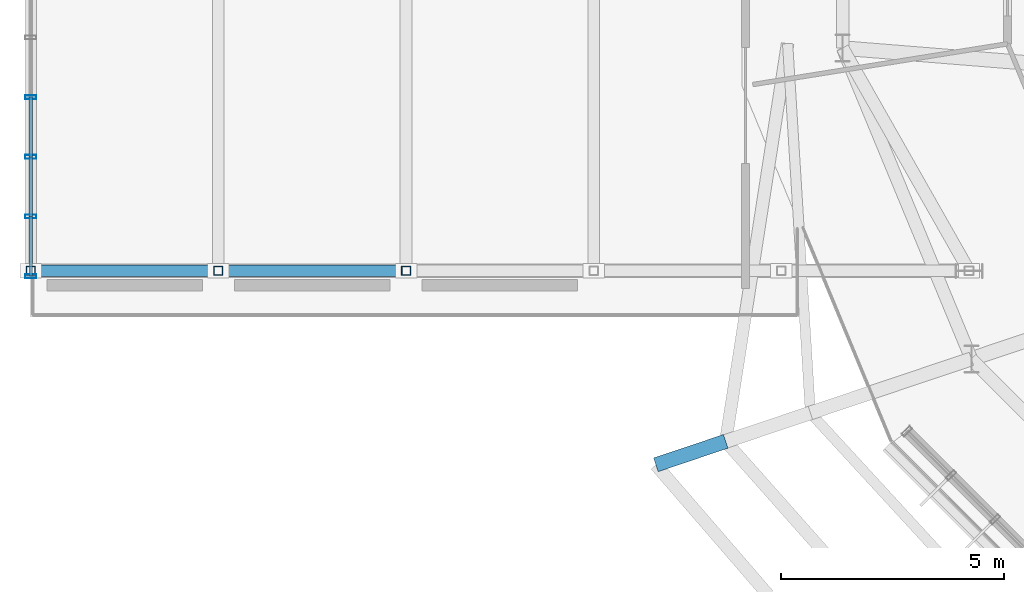
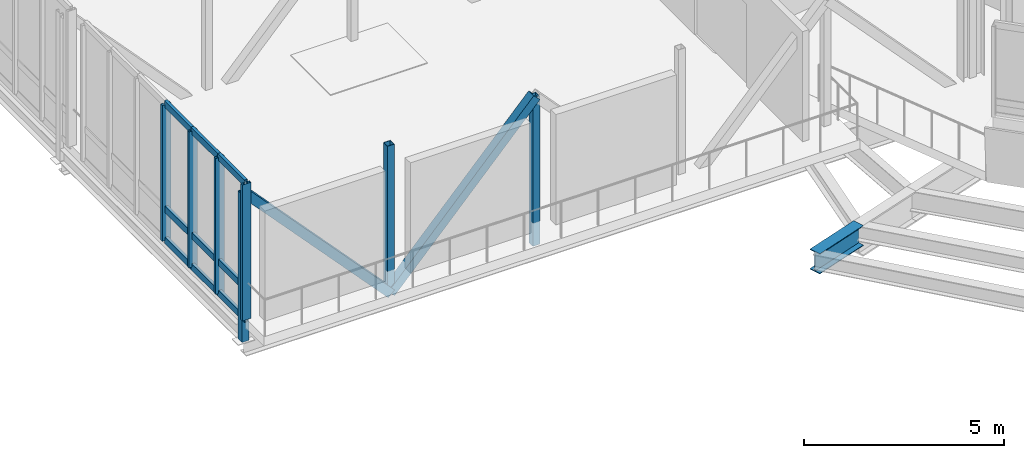
# One storey, part 25 of 139: 18 members, 1 beam, 1 element without a shape of its own.
"""IFC4 building model written with IfcOpenShell, lengths in metres."""

from ifc_helpers import new_model, si_unit, derived_unit, direction, frame, origin, origin_2d, place, context, subcontext, project, spatial, hollow_rectangle, i_section, extrude, material, layer, layer_set, material_profile, profile_set, type_object, element, aggregate, save


model = new_model("IFC4")

# Units and contexts
model_context = context("Model", 3, precision=1e-05, world=origin(), true_north=direction((0.0, 1.0)))
body_context = subcontext(model_context, "Body", "Model", "MODEL_VIEW")
ifc_project = project(units=[si_unit("LENGTHUNIT", "METRE"), si_unit("AREAUNIT", "SQUARE_METRE"), si_unit("VOLUMEUNIT", "CUBIC_METRE"), si_unit("PLANEANGLEUNIT", "RADIAN"), si_unit("MASSUNIT", "GRAM", prefix="KILO"), derived_unit("THERMALTRANSMITTANCEUNIT", [(si_unit("MASSUNIT", "GRAM", prefix="KILO"), 1), (si_unit("TIMEUNIT", "SECOND"), -3), (si_unit("THERMODYNAMICTEMPERATUREUNIT", "KELVIN"), -1)])], contexts=[model_context])

# Site, building, storey
site_placement = place(None, origin())
site = spatial("IfcSite", under=ifc_project, at=site_placement, CompositionType="ELEMENT")
building_placement = place(site_placement, origin())
building = spatial("IfcBuilding", under=site, at=building_placement, Name="Makaiwela Harbour Ferry Terminal", CompositionType="ELEMENT")
storey_placement = place(building_placement, frame((0.0, 0.0, 5.10009765625)))
storey = spatial("IfcBuildingStorey", under=building, at=storey_placement, Name="L01", CompositionType="ELEMENT", Elevation=5.10009765625)

# Curtain wall, members
ifc_material_1 = material(Name="Marine anodised aluminium 6063-T6", Category="aluminium")
ifc_layer = layer(ifc_material_1, 0.199951171875)
ifc_layer_set = layer_set([ifc_layer], Name="Marine anodised aluminium 6063-T6")
curtain_wall_type = type_object("IfcCurtainWallType", Name="ENV-CW-22", PredefinedType="USERDEFINED", material=ifc_layer_set)
curtain_wall_placement = place(storey_placement, origin())
curtain_wall = element("IfcCurtainWall", 1, at=curtain_wall_placement, inside=storey, type_object=curtain_wall_type, Name="Unitised Curtain Wall CWA-136", ObjectType="UNITIZED CURTAIN WALL", PredefinedType="USERDEFINED")
ifc_material_profile_1 = material_profile(ifc_material_1, hollow_rectangle(XDim=0.0849609375, YDim=0.25, WallThickness=0.0048828125, at=origin_2d()), Name="CWM-250X85")
ifc_profile_set_1 = profile_set([ifc_material_profile_1], Name="Marine anodised aluminium 6063-T6")
member_type_1 = type_object("IfcMemberType", Name="CW-MUL-250", PredefinedType="MULLION", material=ifc_profile_set_1)
member_1_placement = place(storey_placement, frame((0.0, 59.22998046875, 0.0), z_axis=(0.0, 0.0, 1.0), x_axis=(0.0, 1.0, 0.0)))
member_1 = element("IfcMember", 2, at=member_1_placement, type_object=member_type_1, Name="Curtain Wall Mullion CWA-136-1", PredefinedType="MULLION", context=body_context, shape_type="SweptSolid", body=[
    extrude(hollow_rectangle(XDim=0.0849609375, YDim=0.25, WallThickness=0.0048828125, at=origin_2d()), origin(), (0.0, 0.0, 1.0), 4.14990234375),
])
member_2_placement = place(storey_placement, frame((0.0, 60.56494140625, 0.0), z_axis=(0.0, 0.0, 1.0), x_axis=(0.0, 1.0, 0.0)))
member_2 = element("IfcMember", 3, at=member_2_placement, type_object=member_type_1, Name="Curtain Wall Mullion CWA-136-2", PredefinedType="MULLION", context=body_context, shape_type="SweptSolid", body=[
    extrude(hollow_rectangle(XDim=0.0849609375, YDim=0.25, WallThickness=0.0048828125, at=origin_2d()), origin(), (0.0, 0.0, 1.0), 4.14990234375),
])
member_3_placement = place(storey_placement, frame((0.0, 61.89990234375, 0.0), z_axis=(0.0, 0.0, 1.0), x_axis=(0.0, 1.0, 0.0)))
member_3 = element("IfcMember", 4, at=member_3_placement, type_object=member_type_1, Name="Curtain Wall Mullion CWA-136-3", PredefinedType="MULLION", context=body_context, shape_type="SweptSolid", body=[
    extrude(hollow_rectangle(XDim=0.0849609375, YDim=0.25, WallThickness=0.0048828125, at=origin_2d()), origin(), (0.0, 0.0, 1.0), 4.14990234375),
])
member_4_placement = place(storey_placement, frame((0.0, 63.235107421875, 0.0), z_axis=(0.0, 0.0, 1.0), x_axis=(0.0, 1.0, 0.0)))
member_4 = element("IfcMember", 5, at=member_4_placement, type_object=member_type_1, Name="Curtain Wall Mullion CWA-136-4", PredefinedType="MULLION", context=body_context, shape_type="SweptSolid", body=[
    extrude(hollow_rectangle(XDim=0.0849609375, YDim=0.25, WallThickness=0.0048828125, at=origin_2d()), origin(), (0.0, 0.0, 1.0), 4.14990234375),
])
ifc_material_profile_2 = material_profile(ifc_material_1, hollow_rectangle(XDim=0.0849609375, YDim=0.199951171875, WallThickness=0.0048828125, at=origin_2d()), Name="CWT-200X85")
ifc_profile_set_2 = profile_set([ifc_material_profile_2], Name="Marine anodised aluminium 6063-T6")
member_type_2 = type_object("IfcMemberType", Name="CW-TRN-200", PredefinedType="USERDEFINED", material=ifc_profile_set_2)
member_5_placement = place(storey_placement, frame((0.0, 59.22998046875, 0.0), z_axis=(0.0, 1.0, 0.0), x_axis=(-1.0, 0.0, 0.0)))
member_5 = element("IfcMember", 6, at=member_5_placement, type_object=member_type_2, Name="Curtain Wall Transom CWA-136-1-1", ObjectType="TRANSOM", PredefinedType="USERDEFINED", context=body_context, shape_type="SweptSolid", body=[
    extrude(hollow_rectangle(XDim=0.0849609375, YDim=0.199951171875, WallThickness=0.0048828125, at=origin_2d()), origin(), (0.0, 0.0, 1.0), 1.3349609375),
])
member_6_placement = place(storey_placement, frame((0.0, 59.22998046875, 0.949951171875), z_axis=(0.0, 1.0, 0.0), x_axis=(-1.0, 0.0, 0.0)))
member_6 = element("IfcMember", 7, at=member_6_placement, type_object=member_type_2, Name="Curtain Wall Transom CWA-136-1-2", ObjectType="TRANSOM", PredefinedType="USERDEFINED", context=body_context, shape_type="SweptSolid", body=[
    extrude(hollow_rectangle(XDim=0.0849609375, YDim=0.199951171875, WallThickness=0.0048828125, at=origin_2d()), origin(), (0.0, 0.0, 1.0), 1.3349609375),
])
member_7_placement = place(storey_placement, frame((0.0, 59.22998046875, 4.14990234375), z_axis=(0.0, 1.0, 0.0), x_axis=(-1.0, 0.0, 0.0)))
member_7 = element("IfcMember", 8, at=member_7_placement, type_object=member_type_2, Name="Curtain Wall Transom CWA-136-1-3", ObjectType="TRANSOM", PredefinedType="USERDEFINED", context=body_context, shape_type="SweptSolid", body=[
    extrude(hollow_rectangle(XDim=0.0849609375, YDim=0.199951171875, WallThickness=0.0048828125, at=origin_2d()), origin(), (0.0, 0.0, 1.0), 1.3349609375),
])
member_8_placement = place(storey_placement, frame((0.0, 60.56494140625, 0.0), z_axis=(0.0, 1.0, 0.0), x_axis=(-1.0, 0.0, 0.0)))
member_8 = element("IfcMember", 9, at=member_8_placement, type_object=member_type_2, Name="Curtain Wall Transom CWA-136-2-1", ObjectType="TRANSOM", PredefinedType="USERDEFINED", context=body_context, shape_type="SweptSolid", body=[
    extrude(hollow_rectangle(XDim=0.0849609375, YDim=0.199951171875, WallThickness=0.0048828125, at=origin_2d()), origin(), (0.0, 0.0, 1.0), 1.3349609375),
])
member_9_placement = place(storey_placement, frame((0.0, 60.56494140625, 0.949951171875), z_axis=(0.0, 1.0, 0.0), x_axis=(-1.0, 0.0, 0.0)))
member_9 = element("IfcMember", 10, at=member_9_placement, type_object=member_type_2, Name="Curtain Wall Transom CWA-136-2-2", ObjectType="TRANSOM", PredefinedType="USERDEFINED", context=body_context, shape_type="SweptSolid", body=[
    extrude(hollow_rectangle(XDim=0.0849609375, YDim=0.199951171875, WallThickness=0.0048828125, at=origin_2d()), origin(), (0.0, 0.0, 1.0), 1.3349609375),
])
member_10_placement = place(storey_placement, frame((0.0, 60.56494140625, 4.14990234375), z_axis=(0.0, 1.0, 0.0), x_axis=(-1.0, 0.0, 0.0)))
member_10 = element("IfcMember", 11, at=member_10_placement, type_object=member_type_2, Name="Curtain Wall Transom CWA-136-2-3", ObjectType="TRANSOM", PredefinedType="USERDEFINED", context=body_context, shape_type="SweptSolid", body=[
    extrude(hollow_rectangle(XDim=0.0849609375, YDim=0.199951171875, WallThickness=0.0048828125, at=origin_2d()), origin(), (0.0, 0.0, 1.0), 1.3349609375),
])
member_11_placement = place(storey_placement, frame((0.0, 61.89990234375, 0.0), z_axis=(0.0, 1.0, 0.0), x_axis=(-1.0, 0.0, 0.0)))
member_11 = element("IfcMember", 12, at=member_11_placement, type_object=member_type_2, Name="Curtain Wall Transom CWA-136-3-1", ObjectType="TRANSOM", PredefinedType="USERDEFINED", context=body_context, shape_type="SweptSolid", body=[
    extrude(hollow_rectangle(XDim=0.0849609375, YDim=0.199951171875, WallThickness=0.0048828125, at=origin_2d()), origin(), (0.0, 0.0, 1.0), 1.335205078125),
])
member_12_placement = place(storey_placement, frame((0.0, 61.89990234375, 0.949951171875), z_axis=(0.0, 1.0, 0.0), x_axis=(-1.0, 0.0, 0.0)))
member_12 = element("IfcMember", 13, at=member_12_placement, type_object=member_type_2, Name="Curtain Wall Transom CWA-136-3-2", ObjectType="TRANSOM", PredefinedType="USERDEFINED", context=body_context, shape_type="SweptSolid", body=[
    extrude(hollow_rectangle(XDim=0.0849609375, YDim=0.199951171875, WallThickness=0.0048828125, at=origin_2d()), origin(), (0.0, 0.0, 1.0), 1.335205078125),
])
member_13_placement = place(storey_placement, frame((0.0, 61.89990234375, 4.14990234375), z_axis=(0.0, 1.0, 0.0), x_axis=(-1.0, 0.0, 0.0)))
member_13 = element("IfcMember", 14, at=member_13_placement, type_object=member_type_2, Name="Curtain Wall Transom CWA-136-3-3", ObjectType="TRANSOM", PredefinedType="USERDEFINED", context=body_context, shape_type="SweptSolid", body=[
    extrude(hollow_rectangle(XDim=0.0849609375, YDim=0.199951171875, WallThickness=0.0048828125, at=origin_2d()), origin(), (0.0, 0.0, 1.0), 1.335205078125),
])
aggregate(curtain_wall, [member_1, member_2, member_3, member_4, member_5, member_6, member_7, member_8, member_9, member_10, member_11, member_12, member_13])

# Members
ifc_material_2 = material(Name="Steel ASTM A500 Grade C", Category="steel")
ifc_material_profile_3 = material_profile(ifc_material_2, hollow_rectangle(XDim=0.25390625, YDim=0.25390625, WallThickness=0.0146484375, at=origin_2d()), Name="HSS10X10X5/8")
ifc_profile_set_3 = profile_set([ifc_material_profile_3], Name="Steel ASTM A500 Grade C")
member_type_3 = type_object("IfcMemberType", Name="STR-BRC-HSS10", PredefinedType="BRACE", material=ifc_profile_set_3)
for number, where, z_axis, x_axis, name in (
    (15, (8.39990234375, 59.35009765625, 3.814453125), (-0.680693892275, 0.0, -0.732567966144), (0.0, -1.0, 0.0), "Structural Member BR-01"),
    (16, (4.199951171875, 59.35009765625, -0.70556640625), (-0.680693892275, 0.0, 0.732567966144), (0.0, -1.0, 0.0), "Structural Member BR-01"),
):
    element("IfcMember", number, at=place(storey_placement, frame(where, z_axis=z_axis, x_axis=x_axis)), inside=storey, type_object=member_type_3, Name=name, PredefinedType="BRACE", context=body_context, shape_type="SweptSolid", body=[
        extrude(hollow_rectangle(XDim=0.25390625, YDim=0.25390625, WallThickness=0.0146484375, at=origin_2d()), origin(), (0.0, 0.0, 1.0), 6.170166015625),
    ])

# Beam
ifc_material_3 = material(Name="Steel ASTM A992 Grade 50", Category="steel")
ifc_material_profile_4 = material_profile(ifc_material_3, i_section(OverallWidth=0.324951171875, OverallDepth=0.615966796875, WebThickness=0.013916015625, FlangeThickness=0.021484375, at=origin_2d()), Name="W24X117")
ifc_profile_set_4 = profile_set([ifc_material_profile_4], Name="Steel ASTM A992 Grade 50")
beam_type = type_object("IfcBeamType", Name="STR-GRD-W24X117", PredefinedType="USERDEFINED", material=ifc_profile_set_4)
beam_placement = place(storey_placement, frame((15.55419921875, 55.531494140625, -0.588134765625), z_axis=(-0.948000469723, -0.318268926233, 0.0), x_axis=(0.318268926233, -0.948000469723, 0.0)))
element("IfcBeam", 17, at=beam_placement, inside=storey, type_object=beam_type, Name="Promenade terrace bracket 58", ObjectType="GIRDER", PredefinedType="USERDEFINED", context=body_context, shape_type="SweptSolid", body=[
    extrude(i_section(OverallWidth=0.324951171875, OverallDepth=0.615966796875, WebThickness=0.013916015625, FlangeThickness=0.021484375, at=origin_2d()), origin(), (0.0, 0.0, 1.0), 1.64990234375),
])

# Members
ifc_material_profile_5 = material_profile(ifc_material_2, hollow_rectangle(XDim=0.202880859375, YDim=0.202880859375, WallThickness=0.01171875, at=origin_2d()), Name="HSS8X8X1/2")
ifc_profile_set_5 = profile_set([ifc_material_profile_5], Name="Steel ASTM A500 Grade C")
member_type_4 = type_object("IfcMemberType", Name="STR-PST-HSS8", PredefinedType="POST", material=ifc_profile_set_5)
for number, where, z_axis, x_axis, name in (
    (18, (8.39990234375, 59.35009765625, -0.70556640625), (0.0, 0.0, 1.0), (1.0, 0.0, 0.0), "Structural Member PS-01"),
    (19, (4.199951171875, 59.35009765625, -0.70556640625), (0.0, 0.0, 1.0), (1.0, 0.0, 0.0), "Structural Member PS-01"),
    (20, (0.0, 59.35009765625, -0.70556640625), (0.0, 0.0, 1.0), (1.0, 0.0, 0.0), "Structural Member PS-01"),
):
    element("IfcMember", number, at=place(storey_placement, frame(where, z_axis=z_axis, x_axis=x_axis)), inside=storey, type_object=member_type_4, Name=name, PredefinedType="POST", context=body_context, shape_type="SweptSolid", body=[
        extrude(hollow_rectangle(XDim=0.202880859375, YDim=0.202880859375, WallThickness=0.01171875, at=origin_2d()), origin(), (0.0, 0.0, 1.0), 4.52001953125),
    ])

save(model, "model.ifc")
